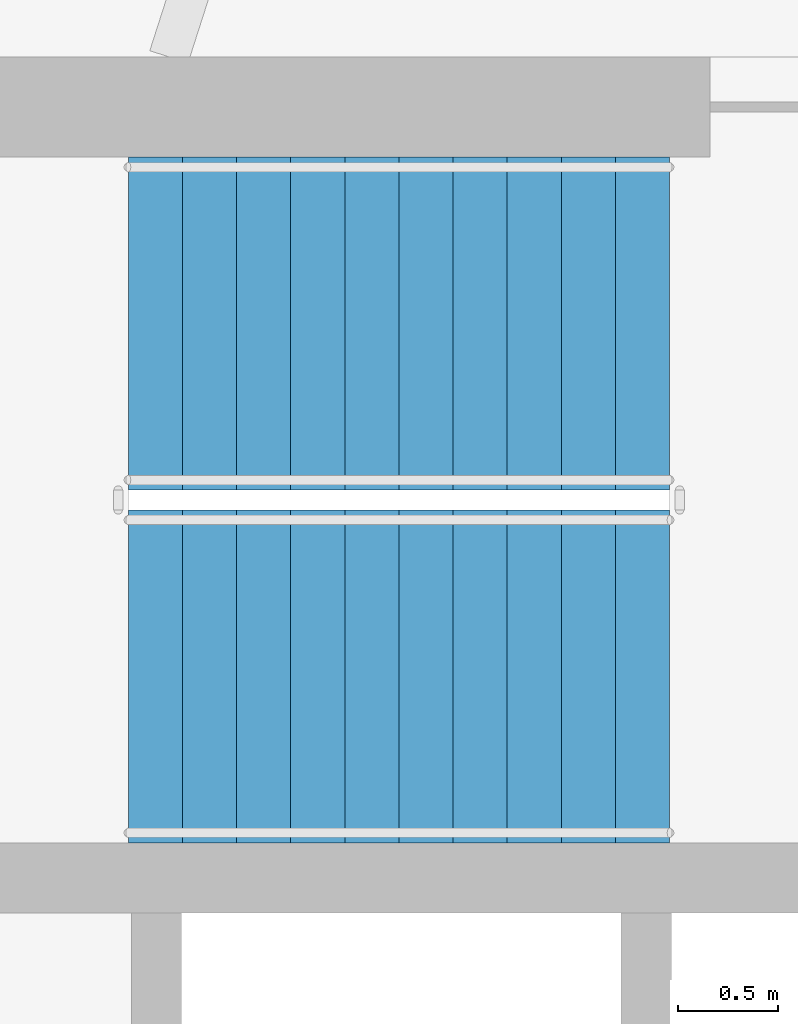
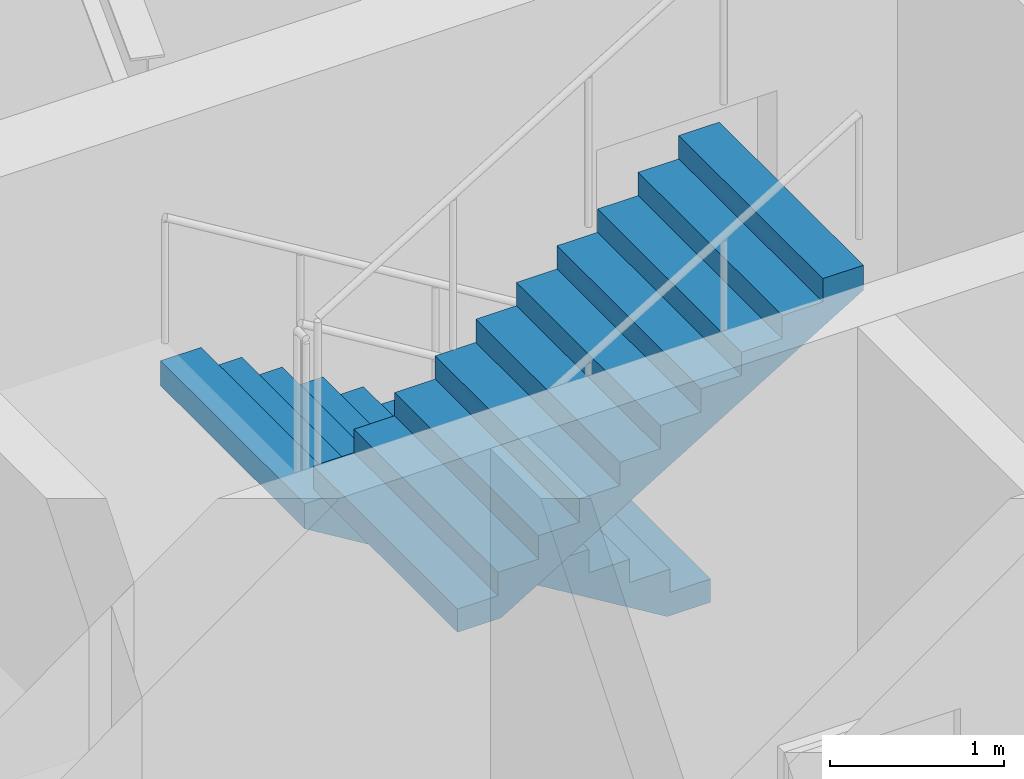
# One storey, part 10 of 13: 2 stair flights, 1 element without a shape of its own.
"""IFC4 building model written with IfcOpenShell, lengths in metres."""

from ifc_helpers import new_model, si_unit, direction, frame, origin, place, context, subcontext, project, spatial, polyline, outline, extrude, material, type_object, element, aggregate, save


model = new_model("IFC4")

# Units and contexts
model_context = context("Model", 3, precision=1e-05, world=origin(), true_north=direction((0.0, 1.0)))
body_context = subcontext(model_context, "Body", "Model", "MODEL_VIEW")
ifc_project = project(units=[si_unit("LENGTHUNIT", "METRE"), si_unit("AREAUNIT", "SQUARE_METRE"), si_unit("VOLUMEUNIT", "CUBIC_METRE"), si_unit("PLANEANGLEUNIT", "RADIAN"), si_unit("MASSUNIT", "GRAM", prefix="KILO")], contexts=[model_context])

# Site, building, storey
site_placement = place(None, origin())
site = spatial("IfcSite", under=ifc_project, at=site_placement, CompositionType="ELEMENT")
building_placement = place(site_placement, origin())
building = spatial("IfcBuilding", under=site, at=building_placement, Name="Vermilion Reach Broadcast Tower", CompositionType="ELEMENT")
storey_placement = place(building_placement, frame((0.0, 0.0, 300.89990234375)))
storey = spatial("IfcBuildingStorey", under=building, at=storey_placement, Name="L75", CompositionType="ELEMENT", Elevation=300.89990234375)

# Stair, stair flights
ifc_material_1 = material(Name="Concrete C40", Category="concrete")
stair_type = type_object("IfcStairType", Name="Exit stair RC 22 risers 164 mm", PredefinedType="HALF_TURN_STAIR", material=ifc_material_1)
stair_placement = place(storey_placement, origin())
stair = element("IfcStair", 1, at=stair_placement, inside=storey, type_object=stair_type, Name="L75 Exit stair ST2", PredefinedType="HALF_TURN_STAIR")
ifc_material_2 = material(Name="Concrete C40", Category="concrete")
stair_flight_type = type_object("IfcStairFlightType", Name="Exit stair flight RC 11 risers", PredefinedType="STRAIGHT", material=ifc_material_2)
stair_flight_1_placement = place(storey_placement, frame((-1.0, 6.469970703125, 0.0), z_axis=(0.0, 0.0, 1.0), x_axis=(-1.0, 0.0, 0.0)))
stair_flight_1 = element("IfcStairFlight", 2, at=stair_flight_1_placement, type_object=stair_flight_type, Name="ST2 flight 1", NumberOfRisers=11, NumberOfTreads=10, PredefinedType="STRAIGHT", RiserHeight=0.163636364, TreadLength=0.27, context=body_context, shape_type="SweptSolid", body=[
    extrude(outline(polyline([(0.0, 0.0), (0.0, 0.16357421875), (0.27001953125, 0.16357421875), (0.27001953125, 0.327392578125), (0.5400390625, 0.327392578125), (0.5400390625, 0.490966796875), (0.81005859375, 0.490966796875), (0.81005859375, 0.654541015625), (1.080078125, 0.654541015625), (1.080078125, 0.818115234375), (1.35009765625, 0.818115234375), (1.35009765625, 0.98193359375), (1.6201171875, 0.98193359375), (1.6201171875, 1.1455078125), (1.889892578125, 1.1455078125), (1.889892578125, 1.30908203125), (2.159912109375, 1.30908203125), (2.159912109375, 1.47265625), (2.429931640625, 1.47265625), (2.429931640625, 1.636474609375), (2.699951171875, 1.636474609375), (2.699951171875, 1.800048828125), (2.699951171875, 1.461181640625), (0.289306640625, 0.0), (0.0, 0.0)])), frame((0.0, 0.830078125, 0.0), z_axis=(0.0, -1.0, 0.0), x_axis=(1.0, 0.0, 0.0)), (0.0, 0.0, 1.0), 1.659912109375),
])
stair_flight_2_placement = place(storey_placement, frame((-3.699951171875, 4.7099609375, 1.800048828125), z_axis=(0.0, 0.0, 1.0), x_axis=(1.0, 0.0, 0.0)))
stair_flight_2 = element("IfcStairFlight", 3, at=stair_flight_2_placement, type_object=stair_flight_type, Name="ST2 flight 2", NumberOfRisers=11, NumberOfTreads=10, PredefinedType="STRAIGHT", RiserHeight=0.163636364, TreadLength=0.27, context=body_context, shape_type="SweptSolid", body=[
    extrude(outline(polyline([(0.0, 0.0), (0.0, 0.16357421875), (0.27001953125, 0.16357421875), (0.27001953125, 0.327392578125), (0.5400390625, 0.327392578125), (0.5400390625, 0.490966796875), (0.81005859375, 0.490966796875), (0.81005859375, 0.654541015625), (1.080078125, 0.654541015625), (1.080078125, 0.818115234375), (1.35009765625, 0.818115234375), (1.35009765625, 0.98193359375), (1.6201171875, 0.98193359375), (1.6201171875, 1.1455078125), (1.889892578125, 1.1455078125), (1.889892578125, 1.30908203125), (2.159912109375, 1.30908203125), (2.159912109375, 1.47265625), (2.429931640625, 1.47265625), (2.429931640625, 1.636474609375), (2.699951171875, 1.636474609375), (2.699951171875, 1.800048828125), (2.699951171875, 1.461181640625), (0.289306640625, 0.0), (0.0, 0.0)])), frame((0.0, 0.830078125, 0.0), z_axis=(0.0, -1.0, 0.0), x_axis=(1.0, 0.0, 0.0)), (0.0, 0.0, 1.0), 1.659912109375),
])
aggregate(stair, [stair_flight_1, stair_flight_2])

save(model, "model.ifc")
